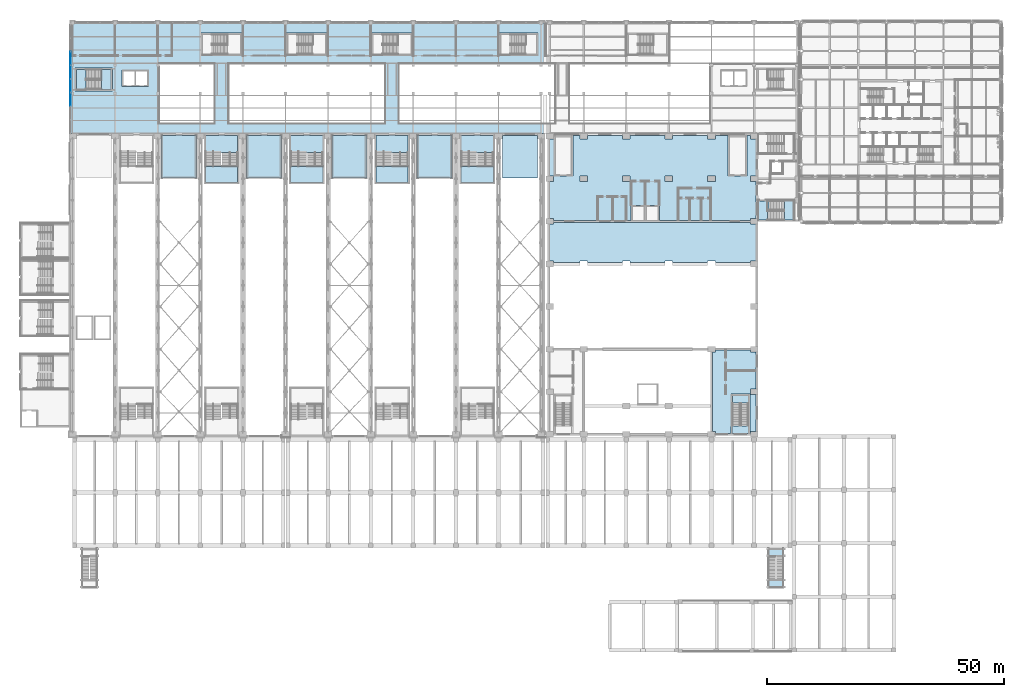
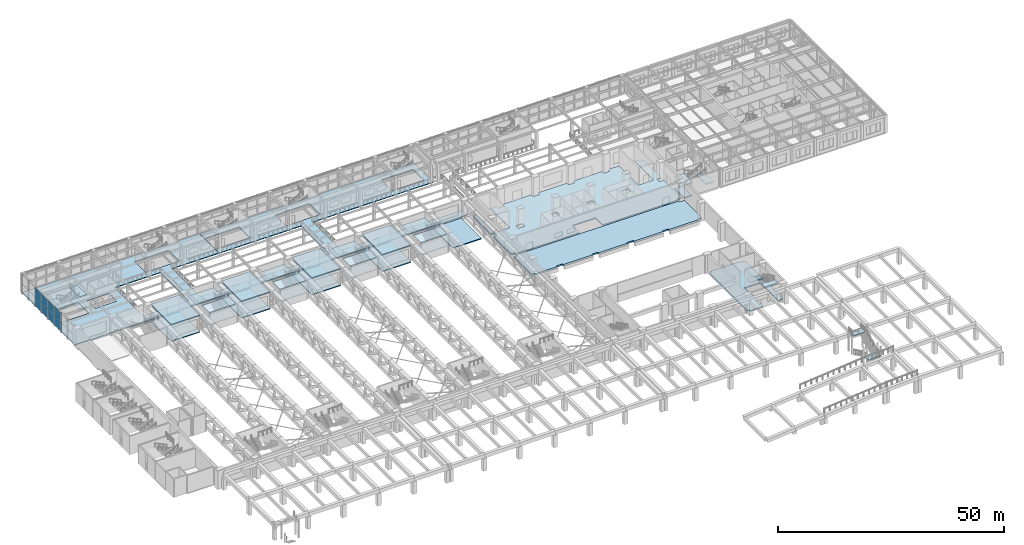
# One storey, part 28 of 76: 36 slabs, 8 plates, 13 elements without a shape of their own.
"""IFC4 building model written with IfcOpenShell, lengths in metres."""

from ifc_helpers import new_model, si_unit, direction, frame, origin, origin_2d, place, context, subcontext, project, spatial, polyline, rectangle, outline, extrude, material, layer, layer_set, type_object, element, aggregate, save


model = new_model("IFC4")

# Units and contexts
model_context = context("Model", 3, precision=1e-05, world=origin(), true_north=direction((0.0, 1.0)))
body_context = subcontext(model_context, "Body", "Model", "MODEL_VIEW")
ifc_project = project(units=[si_unit("LENGTHUNIT", "METRE"), si_unit("AREAUNIT", "SQUARE_METRE"), si_unit("VOLUMEUNIT", "CUBIC_METRE"), si_unit("PLANEANGLEUNIT", "RADIAN"), si_unit("MASSUNIT", "GRAM", prefix="KILO")], contexts=[model_context])

# Site, building, storey
site_placement = place(None, origin())
site = spatial("IfcSite", under=ifc_project, at=site_placement, CompositionType="ELEMENT")
building_placement = place(site_placement, origin())
building = spatial("IfcBuilding", under=site, at=building_placement, Name="Aravalli Gate Trade Fair Centre", CompositionType="ELEMENT")
storey_placement = place(building_placement, frame((0.0, 0.0, 10.0)))
storey = spatial("IfcBuildingStorey", under=building, at=storey_placement, Name="L02", CompositionType="ELEMENT", Elevation=10.0)

# Slabs
ifc_material_1 = material(Name="Concrete M40", Category="concrete")
ifc_layer_1 = layer(ifc_material_1, 0.199951171875)
ifc_layer_set_1 = layer_set([ifc_layer_1], Name="Concrete M40")
slab_type_1 = type_object("IfcSlabType", Name="Concourse gallery slab 200", PredefinedType="FLOOR", material=ifc_layer_set_1)
slab_1_placement = place(storey_placement, frame((0.0, 0.0, -0.199951171875)))
element("IfcSlab", 1, at=slab_1_placement, inside=storey, type_object=slab_type_1, Name="Concourse gallery slab L02 1", PredefinedType="FLOOR", context=body_context, shape_type="SweptSolid", body=[
    extrude(outline(polyline([(5.699951171875, 132.919921875), (5.699951171875, 109.60009765625), (50.97998046875, 109.60009765625), (50.97998046875, 111.699951171875), (39.0, 111.699951171875), (39.0, 124.300048828125), (50.97998046875, 124.300048828125), (50.97998046875, 132.919921875), (5.699951171875, 132.919921875)]), holes=[polyline([(36.0, 124.300048828125), (36.0, 111.699951171875), (24.300048828125, 111.699951171875), (24.300048828125, 124.300048828125), (36.0, 124.300048828125)]), polyline([(6.5, 118.60009765625), (6.5, 123.39990234375), (14.39990234375, 123.39990234375), (14.39990234375, 118.60009765625), (6.5, 118.60009765625)]), polyline([(16.5, 119.5), (16.5, 123.0), (22.050048828125, 123.0), (22.050048828125, 119.5), (16.5, 119.5)]), polyline([(33.14990234375, 126.0), (33.14990234375, 130.800048828125), (41.85009765625, 130.800048828125), (41.85009765625, 126.0), (33.14990234375, 126.0)])]), origin(), (0.0, 0.0, 1.0), 0.199951171875),
])
slab_2_placement = place(storey_placement, frame((0.0, 0.0, -0.199951171875)))
element("IfcSlab", 2, at=slab_2_placement, inside=storey, type_object=slab_type_1, Name="Concourse gallery slab L02 2", PredefinedType="FLOOR", context=body_context, shape_type="SweptSolid", body=[
    extrude(outline(polyline([(105.800048828125, 132.919921875), (51.02001953125, 132.919921875), (51.02001953125, 124.300048828125), (72.0, 124.300048828125), (72.0, 111.699951171875), (51.02001953125, 111.699951171875), (51.02001953125, 109.60009765625), (105.800048828125, 109.60009765625), (105.800048828125, 111.699951171875), (75.0, 111.699951171875), (75.0, 124.300048828125), (105.800048828125, 124.300048828125), (105.800048828125, 132.919921875)]), holes=[polyline([(51.14990234375, 126.0), (51.14990234375, 130.800048828125), (59.85009765625, 130.800048828125), (59.85009765625, 126.0), (51.14990234375, 126.0)]), polyline([(69.14990234375, 126.0), (69.14990234375, 130.800048828125), (77.85009765625, 130.800048828125), (77.85009765625, 126.0), (69.14990234375, 126.0)]), polyline([(96.14990234375, 130.800048828125), (104.35009765625, 130.800048828125), (104.35009765625, 126.0), (96.14990234375, 126.0), (96.14990234375, 130.800048828125)])]), origin(), (0.0, 0.0, 1.0), 0.199951171875),
])

# Stair, slabs
ifc_material_2 = material(Name="Concrete M30", Category="concrete")
stair_type_1 = type_object("IfcStairType", Name="Concourse stair, 2000 wide", PredefinedType="HALF_TURN_STAIR", material=ifc_material_2)
stair_1_placement = place(storey_placement, origin())
stair_1 = element("IfcStair", 3, at=stair_1_placement, inside=storey, type_object=stair_type_1, Name="Stair WS L02", PredefinedType="HALF_TURN_STAIR")
ifc_layer_2 = layer(ifc_material_2, 0.199951171875)
ifc_layer_set_2 = layer_set([ifc_layer_2], Name="Concrete M30")
slab_type_2 = type_object("IfcSlabType", Name="Concourse stair landing 200", PredefinedType="LANDING", material=ifc_layer_set_2)
slab_3_placement = place(storey_placement, frame((0.0, 0.0, 1.466796875)))
slab_3 = element("IfcSlab", 4, at=slab_3_placement, type_object=slab_type_2, Name="STWS-L02 landing 1", PredefinedType="LANDING", context=body_context, shape_type="SweptSolid", body=[
    extrude(outline(polyline([(12.10009765625, 118.89990234375), (14.10009765625, 118.89990234375), (14.10009765625, 123.10009765625), (12.10009765625, 123.10009765625), (12.10009765625, 118.89990234375)])), origin(), (0.0, 0.0, 1.0), 0.199951171875),
])
slab_4_placement = place(storey_placement, frame((0.0, 0.0, 3.13330078125)))
slab_4 = element("IfcSlab", 5, at=slab_4_placement, type_object=slab_type_2, Name="STWS-L02 landing 2", PredefinedType="LANDING", context=body_context, shape_type="SweptSolid", body=[
    extrude(outline(polyline([(6.800048828125, 118.89990234375), (8.800048828125, 118.89990234375), (8.800048828125, 123.10009765625), (6.800048828125, 123.10009765625), (6.800048828125, 118.89990234375)])), origin(), (0.0, 0.0, 1.0), 0.199951171875),
])
slab_5_placement = place(storey_placement, frame((0.0, 0.0, 4.800048828125)))
slab_5 = element("IfcSlab", 6, at=slab_5_placement, type_object=slab_type_2, Name="STWS-L02 landing 3", PredefinedType="LANDING", context=body_context, shape_type="SweptSolid", body=[
    extrude(outline(polyline([(12.10009765625, 118.89990234375), (14.10009765625, 118.89990234375), (14.10009765625, 123.10009765625), (12.10009765625, 123.10009765625), (12.10009765625, 118.89990234375)])), origin(), (0.0, 0.0, 1.0), 0.199951171875),
])
aggregate(stair_1, [slab_3, slab_4, slab_5])

# Slab
ifc_layer_3 = layer(ifc_material_1, 0.39990234375)
ifc_layer_set_3 = layer_set([ifc_layer_3], Name="Concrete M40")
slab_type_3 = type_object("IfcSlabType", Name="Congress balcony slab RC 400", PredefinedType="FLOOR", material=ifc_layer_set_3)
slab_6_placement = place(storey_placement, frame((0.0, 0.0, -0.39990234375)))
element("IfcSlab", 7, at=slab_6_placement, inside=storey, type_object=slab_type_3, Name="Balcony slab L02", PredefinedType="FLOOR", context=body_context, shape_type="SweptSolid", body=[
    extrude(outline(polyline([(150.39990234375, 82.60009765625), (149.199951171875, 82.60009765625), (149.199951171875, 82.300048828125), (141.800048828125, 82.300048828125), (141.800048828125, 82.60009765625), (140.199951171875, 82.60009765625), (140.199951171875, 82.300048828125), (132.800048828125, 82.300048828125), (132.800048828125, 82.60009765625), (131.199951171875, 82.60009765625), (131.199951171875, 82.300048828125), (123.800048828125, 82.300048828125), (123.800048828125, 82.60009765625), (122.199951171875, 82.60009765625), (122.199951171875, 82.300048828125), (114.800048828125, 82.300048828125), (114.800048828125, 82.60009765625), (113.199951171875, 82.60009765625), (113.199951171875, 82.300048828125), (107.60009765625, 82.300048828125), (107.60009765625, 82.60009765625), (106.800048828125, 82.60009765625), (106.800048828125, 90.39990234375), (107.60009765625, 90.39990234375), (107.60009765625, 90.800048828125), (149.199951171875, 90.800048828125), (149.199951171875, 90.39990234375), (150.39990234375, 90.39990234375), (150.39990234375, 82.60009765625)])), origin(), (0.0, 0.0, 1.0), 0.39990234375),
])

# Stair, slabs
ifc_material_3 = material(Name="Concrete M45", Category="concrete")
stair_type_2 = type_object("IfcStairType", Name="Congress exit stair", PredefinedType="HALF_TURN_STAIR", material=ifc_material_3)
stair_2_placement = place(storey_placement, origin())
stair_2 = element("IfcStair", 8, at=stair_2_placement, inside=storey, type_object=stair_type_2, Name="Stage Stair East L02", PredefinedType="HALF_TURN_STAIR")
ifc_layer_4 = layer(ifc_material_3, 0.199951171875)
ifc_layer_set_4 = layer_set([ifc_layer_4], Name="Concrete M45")
slab_type_4 = type_object("IfcSlabType", Name="Congress exit stair landing RC 200", PredefinedType="LANDING", material=ifc_layer_set_4)
slab_7_placement = place(storey_placement, frame((0.0, 0.0, 2.300048828125)))
slab_7 = element("IfcSlab", 9, at=slab_7_placement, type_object=slab_type_4, Name="GX2 landing 1", PredefinedType="LANDING", context=body_context, shape_type="SweptSolid", body=[
    extrude(outline(polyline([(145.39990234375, 52.60009765625), (148.800048828125, 52.60009765625), (148.800048828125, 54.199951171875), (145.39990234375, 54.199951171875), (145.39990234375, 52.60009765625)])), origin(), (0.0, 0.0, 1.0), 0.199951171875),
])
slab_8_placement = place(storey_placement, frame((0.0, 0.0, 4.800048828125)))
slab_8 = element("IfcSlab", 10, at=slab_8_placement, type_object=slab_type_4, Name="GX2 landing 2", PredefinedType="LANDING", context=body_context, shape_type="SweptSolid", body=[
    extrude(outline(polyline([(145.39990234375, 46.199951171875), (148.800048828125, 46.199951171875), (148.800048828125, 47.800048828125), (145.39990234375, 47.800048828125), (145.39990234375, 46.199951171875)])), origin(), (0.0, 0.0, 1.0), 0.199951171875),
])
aggregate(stair_2, [slab_7, slab_8])

# Slabs
ifc_layer_5 = layer(ifc_material_1, 0.300048828125)
ifc_layer_set_5 = layer_set([ifc_layer_5], Name="Concrete M40")
slab_type_5 = type_object("IfcSlabType", Name="Congress floor slab RC 300", PredefinedType="FLOOR", material=ifc_layer_set_5)
slab_9_placement = place(storey_placement, frame((0.0, 0.0, -0.300048828125)))
element("IfcSlab", 11, at=slab_9_placement, inside=storey, type_object=slab_type_5, Name="Foyer floor L02", PredefinedType="FLOOR", context=body_context, shape_type="SweptSolid", body=[
    extrude(outline(polyline([(149.199951171875, 91.60009765625), (149.199951171875, 91.199951171875), (130.0, 91.199951171875), (130.0, 94.39990234375), (127.0, 94.39990234375), (124.0, 94.39990234375), (124.0, 91.199951171875), (107.60009765625, 91.199951171875), (107.60009765625, 91.60009765625), (106.800048828125, 91.60009765625), (106.800048828125, 99.39990234375), (107.60009765625, 99.39990234375), (107.60009765625, 100.60009765625), (106.800048828125, 100.60009765625), (106.800048828125, 108.39990234375), (107.60009765625, 108.39990234375), (107.60009765625, 109.14990234375), (107.699951171875, 109.14990234375), (107.699951171875, 100.550048828125), (111.699951171875, 100.550048828125), (111.699951171875, 109.14990234375), (113.199951171875, 109.14990234375), (113.199951171875, 108.39990234375), (114.800048828125, 108.39990234375), (114.800048828125, 109.14990234375), (122.199951171875, 109.14990234375), (122.199951171875, 108.39990234375), (123.800048828125, 108.39990234375), (123.800048828125, 109.14990234375), (131.199951171875, 109.14990234375), (131.199951171875, 108.39990234375), (132.800048828125, 108.39990234375), (132.800048828125, 109.14990234375), (140.199951171875, 109.14990234375), (140.199951171875, 108.39990234375), (141.800048828125, 108.39990234375), (141.800048828125, 109.14990234375), (144.5, 109.14990234375), (144.5, 100.550048828125), (148.5, 100.550048828125), (148.5, 109.14990234375), (149.199951171875, 109.14990234375), (149.199951171875, 108.39990234375), (150.39990234375, 108.39990234375), (150.39990234375, 100.60009765625), (149.199951171875, 100.60009765625), (149.199951171875, 99.39990234375), (150.39990234375, 99.39990234375), (150.39990234375, 91.60009765625), (149.199951171875, 91.60009765625)]), holes=[polyline([(123.800048828125, 100.60009765625), (122.199951171875, 100.60009765625), (122.199951171875, 99.39990234375), (123.800048828125, 99.39990234375), (123.800048828125, 100.60009765625)]), polyline([(114.800048828125, 100.60009765625), (113.199951171875, 100.60009765625), (113.199951171875, 99.39990234375), (114.800048828125, 99.39990234375), (114.800048828125, 100.60009765625)]), polyline([(141.800048828125, 100.60009765625), (140.199951171875, 100.60009765625), (140.199951171875, 99.39990234375), (141.800048828125, 99.39990234375), (141.800048828125, 100.60009765625)]), polyline([(132.800048828125, 100.60009765625), (131.199951171875, 100.60009765625), (131.199951171875, 99.39990234375), (132.800048828125, 99.39990234375), (132.800048828125, 100.60009765625)])]), origin(), (0.0, 0.0, 1.0), 0.300048828125),
])
slab_10_placement = place(storey_placement, frame((0.0, 0.0, -0.300048828125)))
element("IfcSlab", 12, at=slab_10_placement, inside=storey, type_object=slab_type_5, Name="Stage wing floor L02 E", PredefinedType="FLOOR", context=body_context, shape_type="SweptSolid", body=[
    extrude(outline(polyline([(149.199951171875, 46.60009765625), (149.199951171875, 46.199951171875), (149.10009765625, 46.199951171875), (149.10009765625, 54.5), (145.10009765625, 54.5), (145.10009765625, 46.199951171875), (141.800048828125, 46.199951171875), (141.800048828125, 46.60009765625), (141.199951171875, 46.60009765625), (141.199951171875, 63.39990234375), (141.800048828125, 63.39990234375), (141.800048828125, 63.800048828125), (149.199951171875, 63.800048828125), (149.199951171875, 63.39990234375), (150.39990234375, 63.39990234375), (150.39990234375, 55.60009765625), (149.199951171875, 55.60009765625), (149.199951171875, 54.39990234375), (150.39990234375, 54.39990234375), (150.39990234375, 46.60009765625), (149.199951171875, 46.60009765625)])), origin(), (0.0, 0.0, 1.0), 0.300048828125),
])

# Curtain wall, plates
ifc_material_4 = material(Name="Aluminium and glass", Category="aluminium")
curtain_wall_type = type_object("IfcCurtainWallType", Name="Curtain wall 3000 module, tall", PredefinedType="NOTDEFINED", material=ifc_material_4)
curtain_wall_placement = place(storey_placement, origin())
curtain_wall = element("IfcCurtainWall", 13, at=curtain_wall_placement, inside=storey, type_object=curtain_wall_type, Name="Curtain wall west end L02", PredefinedType="NOTDEFINED")
ifc_material_5 = material(Name="Glass, double glazed", Category="glass")
ifc_layer_6 = layer(ifc_material_5, 0.028076171875)
ifc_layer_set_6 = layer_set([ifc_layer_6], Name="Glass, double glazed")
plate_type = type_object("IfcPlateType", Name="Curtain wall panel, double glazed 28", PredefinedType="CURTAIN_PANEL", material=ifc_layer_set_6)
plate_1_placement = place(storey_placement, frame((5.574951171875, 116.78759765625, 0.06005859375), z_axis=(0.0, 0.0, 1.0), x_axis=(0.0, 1.0, 0.0)))
plate_1 = element("IfcPlate", 14, at=plate_1_placement, type_object=plate_type, Name="CW3 panel 3.1", PredefinedType="CURTAIN_PANEL", context=body_context, shape_type="SweptSolid", body=[
    extrude(rectangle(XDim=2.81494140625, YDim=0.028076171875, at=origin_2d()), origin(), (0.0, 0.0, 1.0), 2.409912109375),
])
plate_2_placement = place(storey_placement, frame((5.574951171875, 116.78759765625, 2.5302734375), z_axis=(0.0, 0.0, 1.0), x_axis=(0.0, 1.0, 0.0)))
plate_2 = element("IfcPlate", 15, at=plate_2_placement, type_object=plate_type, Name="CW3 panel 3.2", PredefinedType="CURTAIN_PANEL", context=body_context, shape_type="SweptSolid", body=[
    extrude(rectangle(XDim=2.81494140625, YDim=0.028076171875, at=origin_2d()), origin(), (0.0, 0.0, 1.0), 2.409912109375),
])
plate_3_placement = place(storey_placement, frame((5.574951171875, 119.66259765625, 0.06005859375), z_axis=(0.0, 0.0, 1.0), x_axis=(0.0, 1.0, 0.0)))
plate_3 = element("IfcPlate", 16, at=plate_3_placement, type_object=plate_type, Name="CW3 panel 4.1", PredefinedType="CURTAIN_PANEL", context=body_context, shape_type="SweptSolid", body=[
    extrude(rectangle(XDim=2.81494140625, YDim=0.028076171875, at=origin_2d()), origin(), (0.0, 0.0, 1.0), 2.409912109375),
])
plate_4_placement = place(storey_placement, frame((5.574951171875, 119.66259765625, 2.5302734375), z_axis=(0.0, 0.0, 1.0), x_axis=(0.0, 1.0, 0.0)))
plate_4 = element("IfcPlate", 17, at=plate_4_placement, type_object=plate_type, Name="CW3 panel 4.2", PredefinedType="CURTAIN_PANEL", context=body_context, shape_type="SweptSolid", body=[
    extrude(rectangle(XDim=2.81494140625, YDim=0.028076171875, at=origin_2d()), origin(), (0.0, 0.0, 1.0), 2.409912109375),
])
plate_5_placement = place(storey_placement, frame((5.574951171875, 122.53759765625, 0.06005859375), z_axis=(0.0, 0.0, 1.0), x_axis=(0.0, 1.0, 0.0)))
plate_5 = element("IfcPlate", 18, at=plate_5_placement, type_object=plate_type, Name="CW3 panel 5.1", PredefinedType="CURTAIN_PANEL", context=body_context, shape_type="SweptSolid", body=[
    extrude(rectangle(XDim=2.81494140625, YDim=0.028076171875, at=origin_2d()), origin(), (0.0, 0.0, 1.0), 2.409912109375),
])
plate_6_placement = place(storey_placement, frame((5.574951171875, 122.53759765625, 2.5302734375), z_axis=(0.0, 0.0, 1.0), x_axis=(0.0, 1.0, 0.0)))
plate_6 = element("IfcPlate", 19, at=plate_6_placement, type_object=plate_type, Name="CW3 panel 5.2", PredefinedType="CURTAIN_PANEL", context=body_context, shape_type="SweptSolid", body=[
    extrude(rectangle(XDim=2.81494140625, YDim=0.028076171875, at=origin_2d()), origin(), (0.0, 0.0, 1.0), 2.409912109375),
])
plate_7_placement = place(storey_placement, frame((5.574951171875, 125.41259765625, 0.06005859375), z_axis=(0.0, 0.0, 1.0), x_axis=(0.0, 1.0, 0.0)))
plate_7 = element("IfcPlate", 20, at=plate_7_placement, type_object=plate_type, Name="CW3 panel 6.1", PredefinedType="CURTAIN_PANEL", context=body_context, shape_type="SweptSolid", body=[
    extrude(rectangle(XDim=2.81494140625, YDim=0.028076171875, at=origin_2d()), origin(), (0.0, 0.0, 1.0), 2.409912109375),
])
plate_8_placement = place(storey_placement, frame((5.574951171875, 125.41259765625, 2.5302734375), z_axis=(0.0, 0.0, 1.0), x_axis=(0.0, 1.0, 0.0)))
plate_8 = element("IfcPlate", 21, at=plate_8_placement, type_object=plate_type, Name="CW3 panel 6.2", PredefinedType="CURTAIN_PANEL", context=body_context, shape_type="SweptSolid", body=[
    extrude(rectangle(XDim=2.81494140625, YDim=0.028076171875, at=origin_2d()), origin(), (0.0, 0.0, 1.0), 2.409912109375),
])
aggregate(curtain_wall, [plate_1, plate_2, plate_3, plate_4, plate_5, plate_6, plate_7, plate_8])

# Stair, slabs
stair_type_3 = type_object("IfcStairType", Name="Hall exit stair, three flights", PredefinedType="HALF_TURN_STAIR", material=ifc_material_1)
stair_3_placement = place(storey_placement, origin())
stair_3 = element("IfcStair", 22, at=stair_3_placement, inside=storey, type_object=stair_type_3, Name="Exit stair ST-N04 lane A L02", PredefinedType="HALF_TURN_STAIR")
ifc_layer_7 = layer(ifc_material_1, 0.199951171875)
ifc_layer_set_7 = layer_set([ifc_layer_7], Name="Concrete M40")
slab_type_6 = type_object("IfcSlabType", Name="Hall exit stair landing RC 200", PredefinedType="LANDING", material=ifc_layer_set_7)
slab_11_placement = place(storey_placement, frame((0.0, 0.0, 1.564697265625)))
slab_11 = element("IfcSlab", 23, at=slab_11_placement, type_object=slab_type_6, Name="ST-N04A landing 1", PredefinedType="LANDING", context=body_context, shape_type="SweptSolid", body=[
    extrude(outline(polyline([(34.10009765625, 102.550048828125), (40.89990234375, 102.550048828125), (40.89990234375, 99.25), (34.10009765625, 99.25), (34.10009765625, 102.550048828125)])), origin(), (0.0, 0.0, 1.0), 0.199951171875),
])
slab_12_placement = place(storey_placement, frame((0.0, 0.0, 4.800048828125)))
slab_12 = element("IfcSlab", 24, at=slab_12_placement, type_object=slab_type_6, Name="ST-N04A landing 2", PredefinedType="LANDING", context=body_context, shape_type="SweptSolid", body=[
    extrude(outline(polyline([(34.10009765625, 102.550048828125), (40.89990234375, 102.550048828125), (40.89990234375, 99.25), (34.10009765625, 99.25), (34.10009765625, 102.550048828125)])), origin(), (0.0, 0.0, 1.0), 0.199951171875),
])
aggregate(stair_3, [slab_11, slab_12])

# Stair, slab
stair_4_placement = place(storey_placement, origin())
stair_4 = element("IfcStair", 25, at=stair_4_placement, inside=storey, type_object=stair_type_3, Name="Exit stair ST-N04 lane B L02", PredefinedType="HALF_TURN_STAIR")
slab_13_placement = place(storey_placement, frame((0.0, 0.0, 3.182373046875)))
slab_13 = element("IfcSlab", 26, at=slab_13_placement, type_object=slab_type_6, Name="ST-N04B landing 1", PredefinedType="LANDING", context=body_context, shape_type="SweptSolid", body=[
    extrude(outline(polyline([(34.10009765625, 109.14990234375), (40.89990234375, 109.14990234375), (40.89990234375, 105.550048828125), (34.10009765625, 105.550048828125), (34.10009765625, 109.14990234375)])), origin(), (0.0, 0.0, 1.0), 0.199951171875),
])
aggregate(stair_4, [slab_13])

# Stair, slabs
stair_5_placement = place(storey_placement, origin())
stair_5 = element("IfcStair", 27, at=stair_5_placement, inside=storey, type_object=stair_type_3, Name="Exit stair ST-N06 lane A L02", PredefinedType="HALF_TURN_STAIR")
slab_14_placement = place(storey_placement, frame((0.0, 0.0, 1.564697265625)))
slab_14 = element("IfcSlab", 28, at=slab_14_placement, type_object=slab_type_6, Name="ST-N06A landing 1", PredefinedType="LANDING", context=body_context, shape_type="SweptSolid", body=[
    extrude(outline(polyline([(52.10009765625, 102.550048828125), (58.89990234375, 102.550048828125), (58.89990234375, 99.25), (52.10009765625, 99.25), (52.10009765625, 102.550048828125)])), origin(), (0.0, 0.0, 1.0), 0.199951171875),
])
slab_15_placement = place(storey_placement, frame((0.0, 0.0, 4.800048828125)))
slab_15 = element("IfcSlab", 29, at=slab_15_placement, type_object=slab_type_6, Name="ST-N06A landing 2", PredefinedType="LANDING", context=body_context, shape_type="SweptSolid", body=[
    extrude(outline(polyline([(52.10009765625, 102.550048828125), (58.89990234375, 102.550048828125), (58.89990234375, 99.25), (52.10009765625, 99.25), (52.10009765625, 102.550048828125)])), origin(), (0.0, 0.0, 1.0), 0.199951171875),
])
aggregate(stair_5, [slab_14, slab_15])

# Stair, slab
stair_6_placement = place(storey_placement, origin())
stair_6 = element("IfcStair", 30, at=stair_6_placement, inside=storey, type_object=stair_type_3, Name="Exit stair ST-N06 lane B L02", PredefinedType="HALF_TURN_STAIR")
slab_16_placement = place(storey_placement, frame((0.0, 0.0, 3.182373046875)))
slab_16 = element("IfcSlab", 31, at=slab_16_placement, type_object=slab_type_6, Name="ST-N06B landing 1", PredefinedType="LANDING", context=body_context, shape_type="SweptSolid", body=[
    extrude(outline(polyline([(52.10009765625, 109.14990234375), (58.89990234375, 109.14990234375), (58.89990234375, 105.550048828125), (52.10009765625, 105.550048828125), (52.10009765625, 109.14990234375)])), origin(), (0.0, 0.0, 1.0), 0.199951171875),
])
aggregate(stair_6, [slab_16])

# Stair, slabs
stair_7_placement = place(storey_placement, origin())
stair_7 = element("IfcStair", 32, at=stair_7_placement, inside=storey, type_object=stair_type_3, Name="Exit stair ST-N08 lane A L02", PredefinedType="HALF_TURN_STAIR")
slab_17_placement = place(storey_placement, frame((0.0, 0.0, 1.564697265625)))
slab_17 = element("IfcSlab", 33, at=slab_17_placement, type_object=slab_type_6, Name="ST-N08A landing 1", PredefinedType="LANDING", context=body_context, shape_type="SweptSolid", body=[
    extrude(outline(polyline([(70.10009765625, 102.550048828125), (76.89990234375, 102.550048828125), (76.89990234375, 99.25), (70.10009765625, 99.25), (70.10009765625, 102.550048828125)])), origin(), (0.0, 0.0, 1.0), 0.199951171875),
])
slab_18_placement = place(storey_placement, frame((0.0, 0.0, 4.800048828125)))
slab_18 = element("IfcSlab", 34, at=slab_18_placement, type_object=slab_type_6, Name="ST-N08A landing 2", PredefinedType="LANDING", context=body_context, shape_type="SweptSolid", body=[
    extrude(outline(polyline([(70.10009765625, 102.550048828125), (76.89990234375, 102.550048828125), (76.89990234375, 99.25), (70.10009765625, 99.25), (70.10009765625, 102.550048828125)])), origin(), (0.0, 0.0, 1.0), 0.199951171875),
])
aggregate(stair_7, [slab_17, slab_18])

# Stair, slab
stair_8_placement = place(storey_placement, origin())
stair_8 = element("IfcStair", 35, at=stair_8_placement, inside=storey, type_object=stair_type_3, Name="Exit stair ST-N08 lane B L02", PredefinedType="HALF_TURN_STAIR")
slab_19_placement = place(storey_placement, frame((0.0, 0.0, 3.182373046875)))
slab_19 = element("IfcSlab", 36, at=slab_19_placement, type_object=slab_type_6, Name="ST-N08B landing 1", PredefinedType="LANDING", context=body_context, shape_type="SweptSolid", body=[
    extrude(outline(polyline([(70.10009765625, 109.14990234375), (76.89990234375, 109.14990234375), (76.89990234375, 105.550048828125), (70.10009765625, 105.550048828125), (70.10009765625, 109.14990234375)])), origin(), (0.0, 0.0, 1.0), 0.199951171875),
])
aggregate(stair_8, [slab_19])

# Stair, slabs
stair_9_placement = place(storey_placement, origin())
stair_9 = element("IfcStair", 37, at=stair_9_placement, inside=storey, type_object=stair_type_3, Name="Exit stair ST-N10 lane A L02", PredefinedType="HALF_TURN_STAIR")
slab_20_placement = place(storey_placement, frame((0.0, 0.0, 1.564697265625)))
slab_20 = element("IfcSlab", 38, at=slab_20_placement, type_object=slab_type_6, Name="ST-N10A landing 1", PredefinedType="LANDING", context=body_context, shape_type="SweptSolid", body=[
    extrude(outline(polyline([(88.10009765625, 102.550048828125), (94.89990234375, 102.550048828125), (94.89990234375, 99.25), (88.10009765625, 99.25), (88.10009765625, 102.550048828125)])), origin(), (0.0, 0.0, 1.0), 0.199951171875),
])
slab_21_placement = place(storey_placement, frame((0.0, 0.0, 4.800048828125)))
slab_21 = element("IfcSlab", 39, at=slab_21_placement, type_object=slab_type_6, Name="ST-N10A landing 2", PredefinedType="LANDING", context=body_context, shape_type="SweptSolid", body=[
    extrude(outline(polyline([(88.10009765625, 102.550048828125), (94.89990234375, 102.550048828125), (94.89990234375, 99.25), (88.10009765625, 99.25), (88.10009765625, 102.550048828125)])), origin(), (0.0, 0.0, 1.0), 0.199951171875),
])
aggregate(stair_9, [slab_20, slab_21])

# Stair, slab
stair_10_placement = place(storey_placement, origin())
stair_10 = element("IfcStair", 40, at=stair_10_placement, inside=storey, type_object=stair_type_3, Name="Exit stair ST-N10 lane B L02", PredefinedType="HALF_TURN_STAIR")
slab_22_placement = place(storey_placement, frame((0.0, 0.0, 3.182373046875)))
slab_22 = element("IfcSlab", 41, at=slab_22_placement, type_object=slab_type_6, Name="ST-N10B landing 1", PredefinedType="LANDING", context=body_context, shape_type="SweptSolid", body=[
    extrude(outline(polyline([(88.10009765625, 109.14990234375), (94.89990234375, 109.14990234375), (94.89990234375, 105.550048828125), (88.10009765625, 105.550048828125), (88.10009765625, 109.14990234375)])), origin(), (0.0, 0.0, 1.0), 0.199951171875),
])
aggregate(stair_10, [slab_22])

# Slabs
ifc_layer_8 = layer(ifc_material_1, 0.25)
ifc_layer_set_8 = layer_set([ifc_layer_8], Name="Concrete M40")
slab_type_7 = type_object("IfcSlabType", Name="Meeting room floor slab RC 250", PredefinedType="FLOOR", material=ifc_layer_set_8)
slab_23_placement = place(storey_placement, frame((0.0, 0.0, -0.25)))
element("IfcSlab", 42, at=slab_23_placement, inside=storey, type_object=slab_type_7, Name="Meeting room 7 floor", PredefinedType="FLOOR", context=body_context, shape_type="SweptSolid", body=[
    extrude(outline(polyline([(24.800048828125, 100.14990234375), (32.199951171875, 100.14990234375), (32.199951171875, 109.14990234375), (24.800048828125, 109.14990234375), (24.800048828125, 100.14990234375)])), origin(), (0.0, 0.0, 1.0), 0.25),
])
slab_24_placement = place(storey_placement, frame((0.0, 0.0, -0.25)))
element("IfcSlab", 43, at=slab_24_placement, inside=storey, type_object=slab_type_7, Name="Meeting room 8 floor", PredefinedType="FLOOR", context=body_context, shape_type="SweptSolid", body=[
    extrude(outline(polyline([(42.800048828125, 100.14990234375), (50.199951171875, 100.14990234375), (50.199951171875, 109.14990234375), (42.800048828125, 109.14990234375), (42.800048828125, 100.14990234375)])), origin(), (0.0, 0.0, 1.0), 0.25),
])
slab_25_placement = place(storey_placement, frame((0.0, 0.0, -0.25)))
element("IfcSlab", 44, at=slab_25_placement, inside=storey, type_object=slab_type_7, Name="Meeting room 9 floor", PredefinedType="FLOOR", context=body_context, shape_type="SweptSolid", body=[
    extrude(outline(polyline([(60.800048828125, 100.14990234375), (68.199951171875, 100.14990234375), (68.199951171875, 109.14990234375), (60.800048828125, 109.14990234375), (60.800048828125, 100.14990234375)])), origin(), (0.0, 0.0, 1.0), 0.25),
])
slab_26_placement = place(storey_placement, frame((0.0, 0.0, -0.25)))
element("IfcSlab", 45, at=slab_26_placement, inside=storey, type_object=slab_type_7, Name="Meeting room 10 floor", PredefinedType="FLOOR", context=body_context, shape_type="SweptSolid", body=[
    extrude(outline(polyline([(78.800048828125, 100.14990234375), (86.199951171875, 100.14990234375), (86.199951171875, 109.14990234375), (78.800048828125, 109.14990234375), (78.800048828125, 100.14990234375)])), origin(), (0.0, 0.0, 1.0), 0.25),
])
ifc_layer_9 = layer(ifc_material_1, 0.25)
ifc_layer_set_9 = layer_set([ifc_layer_9], Name="Concrete M40")
slab_type_8 = type_object("IfcSlabType", Name="Meeting room roof slab RC 250", PredefinedType="ROOF", material=ifc_layer_set_9)
slab_27_placement = place(storey_placement, frame((0.0, 0.0, -0.25)))
element("IfcSlab", 46, at=slab_27_placement, inside=storey, type_object=slab_type_8, Name="Meeting room 6 roof slab", PredefinedType="ROOF", context=body_context, shape_type="SweptSolid", body=[
    extrude(outline(polyline([(96.800048828125, 100.14990234375), (104.199951171875, 100.14990234375), (104.199951171875, 109.14990234375), (96.800048828125, 109.14990234375), (96.800048828125, 100.14990234375)])), origin(), (0.0, 0.0, 1.0), 0.25),
])
slab_28_placement = place(storey_placement, frame((0.0, 0.0, 4.25)))
element("IfcSlab", 47, at=slab_28_placement, inside=storey, type_object=slab_type_8, Name="Meeting room 7 roof slab", PredefinedType="ROOF", context=body_context, shape_type="SweptSolid", body=[
    extrude(outline(polyline([(24.800048828125, 100.14990234375), (32.199951171875, 100.14990234375), (32.199951171875, 109.14990234375), (24.800048828125, 109.14990234375), (24.800048828125, 100.14990234375)])), origin(), (0.0, 0.0, 1.0), 0.25),
])
slab_29_placement = place(storey_placement, frame((0.0, 0.0, 4.25)))
element("IfcSlab", 48, at=slab_29_placement, inside=storey, type_object=slab_type_8, Name="Meeting room 8 roof slab", PredefinedType="ROOF", context=body_context, shape_type="SweptSolid", body=[
    extrude(outline(polyline([(42.800048828125, 100.14990234375), (50.199951171875, 100.14990234375), (50.199951171875, 109.14990234375), (42.800048828125, 109.14990234375), (42.800048828125, 100.14990234375)])), origin(), (0.0, 0.0, 1.0), 0.25),
])
slab_30_placement = place(storey_placement, frame((0.0, 0.0, 4.25)))
element("IfcSlab", 49, at=slab_30_placement, inside=storey, type_object=slab_type_8, Name="Meeting room 9 roof slab", PredefinedType="ROOF", context=body_context, shape_type="SweptSolid", body=[
    extrude(outline(polyline([(60.800048828125, 100.14990234375), (68.199951171875, 100.14990234375), (68.199951171875, 109.14990234375), (60.800048828125, 109.14990234375), (60.800048828125, 100.14990234375)])), origin(), (0.0, 0.0, 1.0), 0.25),
])
slab_31_placement = place(storey_placement, frame((0.0, 0.0, 4.25)))
element("IfcSlab", 50, at=slab_31_placement, inside=storey, type_object=slab_type_8, Name="Meeting room 10 roof slab", PredefinedType="ROOF", context=body_context, shape_type="SweptSolid", body=[
    extrude(outline(polyline([(78.800048828125, 100.14990234375), (86.199951171875, 100.14990234375), (86.199951171875, 109.14990234375), (78.800048828125, 109.14990234375), (78.800048828125, 100.14990234375)])), origin(), (0.0, 0.0, 1.0), 0.25),
])

# Stair, slabs
stair_type_4 = type_object("IfcStairType", Name="External stair 1500", PredefinedType="HALF_TURN_STAIR", material=ifc_material_3)
stair_11_placement = place(storey_placement, origin())
stair_11 = element("IfcStair", 51, at=stair_11_placement, inside=storey, type_object=stair_type_4, Name="External stair 2 L02", PredefinedType="HALF_TURN_STAIR")
ifc_layer_10 = layer(ifc_material_3, 0.25)
ifc_layer_set_10 = layer_set([ifc_layer_10], Name="Concrete M45")
slab_type_9 = type_object("IfcSlabType", Name="Stair landing slab RC 250", PredefinedType="LANDING", material=ifc_layer_set_10)
slab_32_placement = place(storey_placement, frame((0.0, 0.0, 2.300048828125)))
slab_32 = element("IfcSlab", 52, at=slab_32_placement, type_object=slab_type_9, Name="SST6 landing 1", PredefinedType="LANDING", context=body_context, shape_type="SweptSolid", body=[
    extrude(outline(polyline([(153.0, 13.60009765625), (156.199951171875, 13.60009765625), (156.199951171875, 15.39990234375), (153.0, 15.39990234375), (153.0, 13.60009765625)])), origin(), (0.0, 0.0, 1.0), 0.199951171875),
])
slab_33_placement = place(storey_placement, frame((0.0, 0.0, 4.800048828125)))
slab_33 = element("IfcSlab", 53, at=slab_33_placement, type_object=slab_type_9, Name="SST6 landing 2", PredefinedType="LANDING", context=body_context, shape_type="SweptSolid", body=[
    extrude(outline(polyline([(153.0, 20.199951171875), (156.199951171875, 20.199951171875), (156.199951171875, 22.0), (153.0, 22.0), (153.0, 20.199951171875)])), origin(), (0.0, 0.0, 1.0), 0.199951171875),
])
aggregate(stair_11, [slab_32, slab_33])

stair_type_5 = type_object("IfcStairType", Name="Wing core stair", PredefinedType="HALF_TURN_STAIR", material=ifc_material_2)
stair_12_placement = place(storey_placement, origin())
stair_12 = element("IfcStair", 54, at=stair_12_placement, inside=storey, type_object=stair_type_5, Name="Stair LA L02", PredefinedType="HALF_TURN_STAIR")
ifc_layer_11 = layer(ifc_material_2, 0.199951171875)
ifc_layer_set_11 = layer_set([ifc_layer_11], Name="Concrete M30")
slab_type_10 = type_object("IfcSlabType", Name="Wing core stair landing 200", PredefinedType="LANDING", material=ifc_layer_set_11)
slab_34_placement = place(storey_placement, frame((0.0, 0.0, -0.199951171875)))
slab_34 = element("IfcSlab", 55, at=slab_34_placement, type_object=slab_type_10, Name="TST1 landing 1", PredefinedType="LANDING", context=body_context, shape_type="SweptSolid", body=[
    extrude(outline(polyline([(150.800048828125, 91.25), (152.800048828125, 91.25), (152.800048828125, 95.35009765625), (150.800048828125, 95.35009765625), (150.800048828125, 91.25)])), origin(), (0.0, 0.0, 1.0), 0.199951171875),
])
slab_35_placement = place(storey_placement, frame((0.0, 0.0, 1.564697265625)))
slab_35 = element("IfcSlab", 56, at=slab_35_placement, type_object=slab_type_10, Name="TST1 landing 2", PredefinedType="LANDING", context=body_context, shape_type="SweptSolid", body=[
    extrude(outline(polyline([(156.39697265625, 91.25), (158.39990234375, 91.25), (158.39990234375, 95.35009765625), (156.39697265625, 95.35009765625), (156.39697265625, 91.25)])), origin(), (0.0, 0.0, 1.0), 0.199951171875),
])
slab_36_placement = place(storey_placement, frame((0.0, 0.0, 3.182373046875)))
slab_36 = element("IfcSlab", 57, at=slab_36_placement, type_object=slab_type_10, Name="TST1 landing 3", PredefinedType="LANDING", context=body_context, shape_type="SweptSolid", body=[
    extrude(outline(polyline([(150.800048828125, 91.25), (153.126953125, 91.25), (153.126953125, 95.35009765625), (150.800048828125, 95.35009765625), (150.800048828125, 91.25)])), origin(), (0.0, 0.0, 1.0), 0.199951171875),
])
aggregate(stair_12, [slab_34, slab_35, slab_36])

save(model, "model.ifc")
